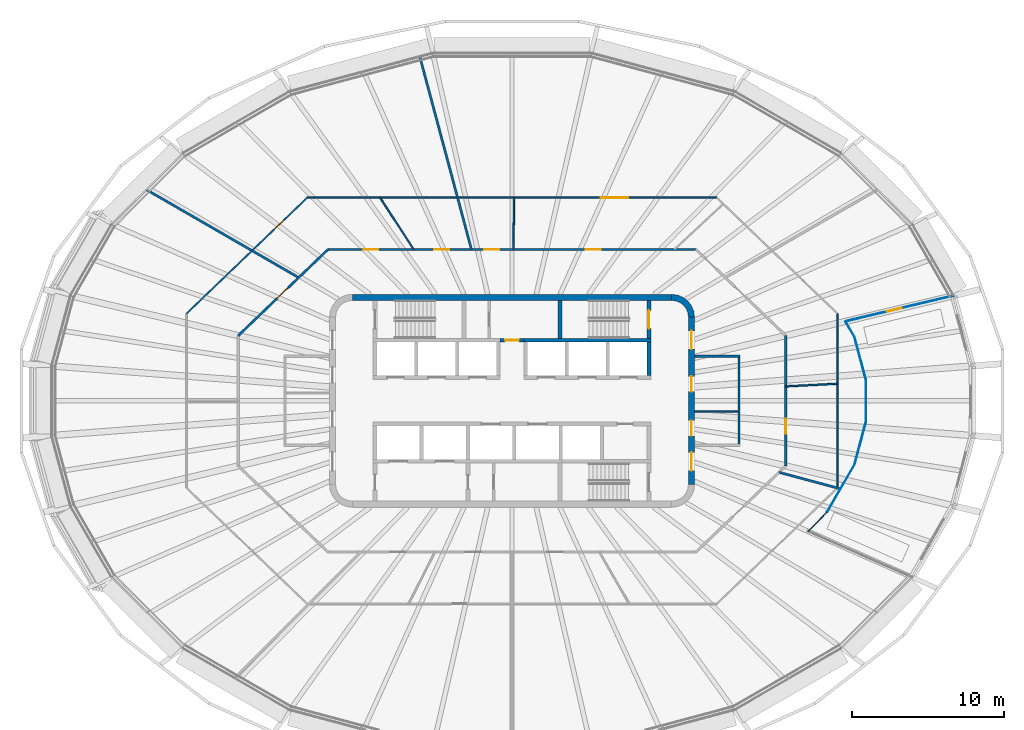
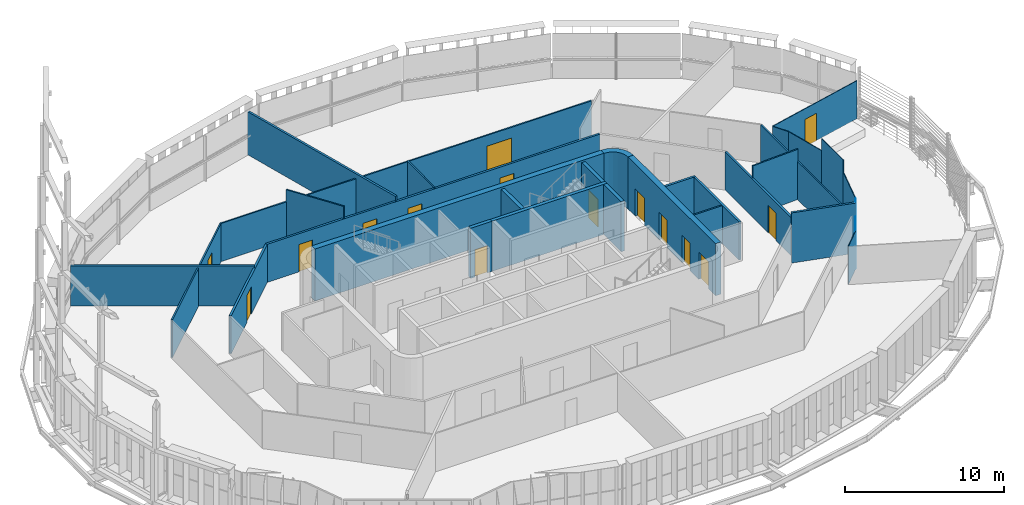
# One storey, part 11 of 21: 30 walls, 15 doors, 15 openings.
"""IFC4 building model written with IfcOpenShell, lengths in metres."""

from ifc_helpers import new_model, si_unit, direction, frame, frame_2d, origin, place, context, subcontext, project, spatial, polyline, rectangle, outline, extrude, material, layer, layer_set, type_object, element, fill, save


model = new_model("IFC4")

# Units and contexts
model_context = context("Model", 3, precision=1e-05, world=origin(), true_north=direction((0.0, 1.0)))
body_context = subcontext(model_context, "Body", "Model", "MODEL_VIEW")
ifc_project = project(units=[si_unit("LENGTHUNIT", "METRE"), si_unit("AREAUNIT", "SQUARE_METRE"), si_unit("VOLUMEUNIT", "CUBIC_METRE"), si_unit("PLANEANGLEUNIT", "RADIAN"), si_unit("MASSUNIT", "GRAM", prefix="KILO")], contexts=[model_context])

# Site, building, storey
site_placement = place(None, origin())
site = spatial("IfcSite", under=ifc_project, at=site_placement, CompositionType="ELEMENT")
building_placement = place(site_placement, origin())
building = spatial("IfcBuilding", under=site, at=building_placement, Name="Sahrelin Media Tower", CompositionType="ELEMENT")
storey_placement = place(building_placement, frame((0.0, 0.0, 259.0)))
storey = spatial("IfcBuildingStorey", under=building, at=storey_placement, Name="L56", CompositionType="ELEMENT", Elevation=259.0)

# Wall
ifc_material_1 = material(Name="Concrete C60/75", Category="concrete")
ifc_layer_1 = layer(ifc_material_1, 0.39990234375)
ifc_layer_set_1 = layer_set([ifc_layer_1], Name="Core wall 400")
wall_type_1 = type_object("IfcWallType", Name="Core wall 400", PredefinedType="SHEAR", material=ifc_layer_set_1)
wall_1_placement = place(storey_placement, frame((-10.5, 6.800048828125, 0.0), z_axis=(0.0, 0.0, 1.0), x_axis=(1.0, 0.0, 0.0)))
element("IfcWall", 1, at=wall_1_placement, inside=storey, type_object=wall_type_1, Name="Core wall N L56", PredefinedType="SHEAR", context=body_context, shape_type="SweptSolid", body=[
    extrude(rectangle(XDim=21.0, YDim=0.39990234375, at=frame_2d((10.5, 0.0))), origin(), (0.0, 0.0, 1.0), 4.0),
])

# Wall, openings, doors
wall_2_placement = place(storey_placement, frame((11.800048828125, -5.5, 0.0), z_axis=(0.0, 0.0, 1.0), x_axis=(0.0, 1.0, 0.0)))
wall_2 = element("IfcWall", 2, at=wall_2_placement, inside=storey, type_object=wall_type_1, Name="Core wall E L56", PredefinedType="SHEAR", context=body_context, shape_type="SweptSolid", body=[
    extrude(rectangle(XDim=11.0, YDim=0.39990234375, at=frame_2d((5.5, 0.0))), origin(), (0.0, 0.0, 1.0), 4.0),
])
opening_1_placement = place(wall_2_placement, frame((3.199951171875, 0.0, 0.0)))
opening_1 = element("IfcOpeningElement", 3, at=opening_1_placement, cuts=wall_2, Name="Opening L56-D12", PredefinedType="OPENING", context=body_context, shape_type="SweptSolid", body=[
    extrude(rectangle(XDim=1.0, YDim=2.10009765625, at=frame_2d((0.5, 1.050048828125))), frame((0.0, 0.199951171875, 0.0), z_axis=(0.0, -1.0, 0.0), x_axis=(1.0, 0.0, 0.0)), (0.0, 0.0, 1.0), 0.39990234375),
])
opening_2_placement = place(wall_2_placement, frame((6.10009765625, 0.0, 0.0)))
opening_2 = element("IfcOpeningElement", 4, at=opening_2_placement, cuts=wall_2, Name="Opening L56-D13", PredefinedType="OPENING", context=body_context, shape_type="SweptSolid", body=[
    extrude(rectangle(XDim=1.0, YDim=2.10009765625, at=frame_2d((0.5, 1.050048828125))), frame((0.0, 0.199951171875, 0.0), z_axis=(0.0, -1.0, 0.0), x_axis=(1.0, 0.0, 0.0)), (0.0, 0.0, 1.0), 0.39990234375),
])
opening_3_placement = place(wall_2_placement, frame((0.89990234375, 0.0, 0.0)))
opening_3 = element("IfcOpeningElement", 5, at=opening_3_placement, cuts=wall_2, Name="Opening L56-D16", PredefinedType="OPENING", context=body_context, shape_type="SweptSolid", body=[
    extrude(rectangle(XDim=1.199951171875, YDim=2.10009765625, at=frame_2d((0.60009765625, 1.050048828125))), frame((0.0, 0.199951171875, 0.0), z_axis=(0.0, -1.0, 0.0), x_axis=(1.0, 0.0, 0.0)), (0.0, 0.0, 1.0), 0.39990234375),
])
opening_4_placement = place(wall_2_placement, frame((8.89990234375, 0.0, 0.0)))
opening_4 = element("IfcOpeningElement", 6, at=opening_4_placement, cuts=wall_2, Name="Opening L56-D17", PredefinedType="OPENING", context=body_context, shape_type="SweptSolid", body=[
    extrude(rectangle(XDim=1.199951171875, YDim=2.10009765625, at=frame_2d((0.60009765625, 1.050048828125))), frame((0.0, 0.199951171875, 0.0), z_axis=(0.0, -1.0, 0.0), x_axis=(1.0, 0.0, 0.0)), (0.0, 0.0, 1.0), 0.39990234375),
])
ifc_material_2 = material(Name="Steel fire door leaf", Category="steel")
door_type_1 = type_object("IfcDoorType", Name="Fire door 1000 x 2100 EI 60", OperationType="NOTDEFINED", PredefinedType="DOOR", material=ifc_material_2)
door_1_placement = place(opening_1_placement, origin())
door_1 = element("IfcDoor", 7, at=door_1_placement, inside=storey, type_object=door_type_1, Name="Core room door", OperationType="SINGLE_SWING_RIGHT", OverallHeight=2.10009765625, OverallWidth=1.0, PredefinedType="DOOR", context=body_context, shape_type="SweptSolid", body=[
    extrude(rectangle(XDim=1.0, YDim=2.10009765625, at=frame_2d((0.5, 1.050048828125))), frame((0.0, 0.02490234375, 0.0), z_axis=(0.0, -1.0, 0.0), x_axis=(1.0, 0.0, 0.0)), (0.0, 0.0, 1.0), 0.050048828125),
])
fill(opening_1, door_1)
door_2_placement = place(opening_2_placement, origin())
door_2 = element("IfcDoor", 8, at=door_2_placement, inside=storey, type_object=door_type_1, Name="Core room door", OperationType="SINGLE_SWING_RIGHT", OverallHeight=2.10009765625, OverallWidth=1.0, PredefinedType="DOOR", context=body_context, shape_type="SweptSolid", body=[
    extrude(rectangle(XDim=1.0, YDim=2.10009765625, at=frame_2d((0.5, 1.050048828125))), frame((0.0, 0.02490234375, 0.0), z_axis=(0.0, -1.0, 0.0), x_axis=(1.0, 0.0, 0.0)), (0.0, 0.0, 1.0), 0.050048828125),
])
fill(opening_2, door_2)
door_type_2 = type_object("IfcDoorType", Name="Lobby door 1200 x 2100 EI 60", OperationType="NOTDEFINED", PredefinedType="DOOR", material=ifc_material_2)
door_3_placement = place(opening_3_placement, origin())
door_3 = element("IfcDoor", 9, at=door_3_placement, inside=storey, type_object=door_type_2, Name="Lobby door", OperationType="SINGLE_SWING_LEFT", OverallHeight=2.10009765625, OverallWidth=1.199951171875, PredefinedType="DOOR", context=body_context, shape_type="SweptSolid", body=[
    extrude(rectangle(XDim=1.199951171875, YDim=2.10009765625, at=frame_2d((0.60009765625, 1.050048828125))), frame((0.0, 0.02490234375, 0.0), z_axis=(0.0, -1.0, 0.0), x_axis=(1.0, 0.0, 0.0)), (0.0, 0.0, 1.0), 0.050048828125),
])
fill(opening_3, door_3)
door_4_placement = place(opening_4_placement, origin())
door_4 = element("IfcDoor", 10, at=door_4_placement, inside=storey, type_object=door_type_2, Name="Lobby door", OperationType="SINGLE_SWING_LEFT", OverallHeight=2.10009765625, OverallWidth=1.199951171875, PredefinedType="DOOR", context=body_context, shape_type="SweptSolid", body=[
    extrude(rectangle(XDim=1.199951171875, YDim=2.10009765625, at=frame_2d((0.60009765625, 1.050048828125))), frame((0.0, 0.02490234375, 0.0), z_axis=(0.0, -1.0, 0.0), x_axis=(1.0, 0.0, 0.0)), (0.0, 0.0, 1.0), 0.050048828125),
])
fill(opening_4, door_4)

# Wall
wall_3_placement = place(storey_placement, origin())
element("IfcWall", 11, at=wall_3_placement, inside=storey, type_object=wall_type_1, Name="Core wall corner NE L56", PredefinedType="SHEAR", context=body_context, shape_type="SweptSolid", body=[
    extrude(outline(polyline([(10.5, 7.0), (10.5, 6.596435546875), (10.78369140625, 6.55908203125), (11.04833984375, 6.44970703125), (11.275390625, 6.275390625), (11.44970703125, 6.04833984375), (11.55908203125, 5.78369140625), (11.596435546875, 5.5), (12.0, 5.5), (11.948974609375, 5.88818359375), (11.799072265625, 6.25), (11.560791015625, 6.560791015625), (11.25, 6.799072265625), (10.88818359375, 6.948974609375), (10.5, 7.0)])), origin(), (0.0, 0.0, 1.0), 4.0),
])

# Wall, opening, door
ifc_material_3 = material(Name="Fire-rated gypsum board partition")
ifc_layer_2 = layer(ifc_material_3, 0.25)
ifc_layer_set_2 = layer_set([ifc_layer_2], Name="Fire-rated lobby wall 250")
wall_type_2 = type_object("IfcWallType", Name="Fire-rated lobby wall 250", PredefinedType="PARTITIONING", material=ifc_layer_set_2)
wall_4_placement = place(storey_placement, frame((-0.77490234375, 3.97509765625, 0.0), z_axis=(0.0, 0.0, 1.0), x_axis=(1.0, 0.0, 0.0)))
wall_4 = element("IfcWall", 12, at=wall_4_placement, inside=storey, type_object=wall_type_2, Name="Core lobby wall", PredefinedType="PARTITIONING", context=body_context, shape_type="SweptSolid", body=[
    extrude(rectangle(XDim=1.5498046875, YDim=0.25, at=frame_2d((0.77490234375, 0.0))), origin(), (0.0, 0.0, 1.0), 3.85009765625),
])
opening_5_placement = place(wall_4_placement, frame((0.324951171875, 0.0, 0.0)))
opening_5 = element("IfcOpeningElement", 13, at=opening_5_placement, cuts=wall_4, Name="Opening L56-D06", PredefinedType="OPENING", context=body_context, shape_type="SweptSolid", body=[
    extrude(rectangle(XDim=0.89990234375, YDim=2.10009765625, at=frame_2d((0.449951171875, 1.050048828125))), frame((0.0, 0.125, 0.0), z_axis=(0.0, -1.0, 0.0), x_axis=(1.0, 0.0, 0.0)), (0.0, 0.0, 1.0), 0.25),
])
door_type_3 = type_object("IfcDoorType", Name="Riser door 900 x 2100 EI 120", OperationType="NOTDEFINED", PredefinedType="DOOR", material=ifc_material_2)
door_5_placement = place(opening_5_placement, origin())
door_5 = element("IfcDoor", 14, at=door_5_placement, inside=storey, type_object=door_type_3, Name="Core room door", OperationType="SINGLE_SWING_LEFT", OverallHeight=2.10009765625, OverallWidth=0.89990234375, PredefinedType="DOOR", context=body_context, shape_type="SweptSolid", body=[
    extrude(rectangle(XDim=0.89990234375, YDim=2.10009765625, at=frame_2d((0.449951171875, 1.050048828125))), frame((0.0, 0.02490234375, 0.0), z_axis=(0.0, -1.0, 0.0), x_axis=(1.0, 0.0, 0.0)), (0.0, 0.0, 1.0), 0.050048828125),
])
fill(opening_5, door_5)

# Walls
ifc_layer_3 = layer(ifc_material_3, 0.10009765625)
ifc_layer_set_3 = layer_set([ifc_layer_3], Name="Fire-rated partition 100")
wall_type_3 = type_object("IfcWallType", Name="Fire-rated partition 100", PredefinedType="PARTITIONING", material=ifc_layer_set_3)
wall_5_placement = place(storey_placement, frame((12.0, -0.699951171875, 0.0), z_axis=(0.0, 0.0, 1.0), x_axis=(1.0, 0.0, 0.0)))
element("IfcWall", 15, at=wall_5_placement, inside=storey, type_object=wall_type_3, Name="Core room partition", PredefinedType="PARTITIONING", context=body_context, shape_type="SweptSolid", body=[
    extrude(rectangle(XDim=2.85009765625, YDim=0.10009765625, at=frame_2d((1.425048828125, 0.0))), origin(), (0.0, 0.0, 1.0), 2.918212890625),
])
ifc_layer_4 = layer(ifc_material_3, 0.14990234375)
ifc_layer_set_4 = layer_set([ifc_layer_4], Name="Fire-rated partition 150")
wall_type_4 = type_object("IfcWallType", Name="Fire-rated partition 150", PredefinedType="PARTITIONING", material=ifc_layer_set_4)
wall_6_placement = place(storey_placement, frame((14.925048828125, -2.85009765625, 0.0), z_axis=(0.0, 0.0, 1.0), x_axis=(0.0, 1.0, 0.0)))
element("IfcWall", 16, at=wall_6_placement, inside=storey, type_object=wall_type_4, Name="Core room fire partition", PredefinedType="PARTITIONING", context=body_context, shape_type="SweptSolid", body=[
    extrude(rectangle(XDim=5.7001953125, YDim=0.14990234375, at=frame_2d((2.85009765625, 0.0))), origin(), (0.0, 0.0, 1.0), 2.918212890625),
])
wall_7_placement = place(storey_placement, frame((12.0, 2.925048828125, 0.0), z_axis=(0.0, 0.0, 1.0), x_axis=(1.0, 0.0, 0.0)))
element("IfcWall", 17, at=wall_7_placement, inside=storey, type_object=wall_type_4, Name="Core room fire partition", PredefinedType="PARTITIONING", context=body_context, shape_type="SweptSolid", body=[
    extrude(rectangle(XDim=3.0, YDim=0.14990234375, at=frame_2d((1.5, 0.0))), origin(), (0.0, 0.0, 1.0), 2.918212890625),
])
wall_8_placement = place(storey_placement, frame((-6.06298828125, 22.62890625, 0.0), z_axis=(0.0, 0.0, 1.0), x_axis=(0.258776059344, -0.965937343263, 0.0)))
element("IfcWall", 18, at=wall_8_placement, inside=storey, type_object=wall_type_4, Name="Wall", PredefinedType="PARTITIONING", context=body_context, shape_type="SweptSolid", body=[
    extrude(rectangle(XDim=13.126953125, YDim=0.14990234375, at=frame_2d((6.5634765625, 0.0))), origin(), (0.0, 0.0, 1.0), 3.3017578125),
])
wall_9_placement = place(storey_placement, frame((-24.050048828125, 13.885009765625, 0.0), z_axis=(0.0, 0.0, 1.0), x_axis=(0.86602966053, -0.499992627028, 0.0)))
element("IfcWall", 19, at=wall_9_placement, inside=storey, type_object=wall_type_4, Name="Wall", PredefinedType="PARTITIONING", context=body_context, shape_type="SweptSolid", body=[
    extrude(rectangle(XDim=11.576904296875, YDim=0.14990234375, at=frame_2d((5.78857421875, 0.0))), origin(), (0.0, 0.0, 1.0), 3.075927734375),
])
wall_10_placement = place(storey_placement, frame((17.555908203125, -4.7041015625, 0.0), z_axis=(0.0, 0.0, 1.0), x_axis=(0.965793364166, -0.259312895424, 0.0)))
element("IfcWall", 20, at=wall_10_placement, inside=storey, type_object=wall_type_4, Name="Wall", PredefinedType="PARTITIONING", context=body_context, shape_type="SweptSolid", body=[
    extrude(rectangle(XDim=4.188720703125, YDim=0.14990234375, at=frame_2d((2.09423828125, 0.0))), origin(), (0.0, 0.0, 1.0), 3.85009765625),
])

# Wall, openings, doors
wall_11_placement = place(storey_placement, frame((-12.094970703125, 9.948974609375, 0.0), z_axis=(0.0, 0.0, 1.0), x_axis=(1.0, 0.0, 0.0)))
wall_11 = element("IfcWall", 21, at=wall_11_placement, inside=storey, type_object=wall_type_4, Name="Wall", PredefinedType="PARTITIONING", context=body_context, shape_type="SweptSolid", body=[
    extrude(rectangle(XDim=24.18994140625, YDim=0.14990234375, at=frame_2d((12.094970703125, 0.0))), origin(), (0.0, 0.0, 1.0), 2.927001953125),
])
opening_6_placement = place(wall_11_placement, frame((16.93310546875, 0.0, 0.0)))
opening_6 = element("IfcOpeningElement", 22, at=opening_6_placement, cuts=wall_11, Name="Opening L56-D19", PredefinedType="OPENING", context=body_context, shape_type="SweptSolid", body=[
    extrude(rectangle(XDim=1.0, YDim=2.10009765625, at=frame_2d((0.5, 1.050048828125))), frame((0.0, 0.074951171875, 0.0), z_axis=(0.0, -1.0, 0.0), x_axis=(1.0, 0.0, 0.0)), (0.0, 0.0, 1.0), 0.14990234375),
])
opening_7_placement = place(wall_11_placement, frame((10.254638671875, 0.0, 0.0)))
opening_7 = element("IfcOpeningElement", 23, at=opening_7_placement, cuts=wall_11, Name="Opening L56-D20", PredefinedType="OPENING", context=body_context, shape_type="SweptSolid", body=[
    extrude(rectangle(XDim=1.0, YDim=2.10009765625, at=frame_2d((0.5, 1.050048828125))), frame((0.0, 0.074951171875, 0.0), z_axis=(0.0, -1.0, 0.0), x_axis=(1.0, 0.0, 0.0)), (0.0, 0.0, 1.0), 0.14990234375),
])
opening_8_placement = place(wall_11_placement, frame((6.978271484375, 0.0, 0.0)))
opening_8 = element("IfcOpeningElement", 24, at=opening_8_placement, cuts=wall_11, Name="Opening L56-D22", PredefinedType="OPENING", context=body_context, shape_type="SweptSolid", body=[
    extrude(rectangle(XDim=1.0, YDim=2.10009765625, at=frame_2d((0.5, 1.050048828125))), frame((0.0, 0.074951171875, 0.0), z_axis=(0.0, -1.0, 0.0), x_axis=(1.0, 0.0, 0.0)), (0.0, 0.0, 1.0), 0.14990234375),
])
opening_9_placement = place(wall_11_placement, frame((2.31689453125, 0.0, 0.0)))
opening_9 = element("IfcOpeningElement", 25, at=opening_9_placement, cuts=wall_11, Name="Opening L56-D23", PredefinedType="OPENING", context=body_context, shape_type="SweptSolid", body=[
    extrude(rectangle(XDim=1.0, YDim=2.10009765625, at=frame_2d((0.5, 1.050048828125))), frame((0.0, 0.074951171875, 0.0), z_axis=(0.0, -1.0, 0.0), x_axis=(1.0, 0.0, 0.0)), (0.0, 0.0, 1.0), 0.14990234375),
])
door_6_placement = place(opening_6_placement, origin())
door_6 = element("IfcDoor", 26, at=door_6_placement, inside=storey, type_object=door_type_1, Name="Fire door", OperationType="SINGLE_SWING_LEFT", OverallHeight=2.10009765625, OverallWidth=1.0, PredefinedType="DOOR", context=body_context, shape_type="SweptSolid", body=[
    extrude(rectangle(XDim=1.0, YDim=2.10009765625, at=frame_2d((0.5, 1.050048828125))), frame((0.0, 0.02490234375, 0.0), z_axis=(0.0, -1.0, 0.0), x_axis=(1.0, 0.0, 0.0)), (0.0, 0.0, 1.0), 0.050048828125),
])
fill(opening_6, door_6)
door_7_placement = place(opening_7_placement, origin())
door_7 = element("IfcDoor", 27, at=door_7_placement, inside=storey, type_object=door_type_1, Name="Fire door", OperationType="SINGLE_SWING_LEFT", OverallHeight=2.10009765625, OverallWidth=1.0, PredefinedType="DOOR", context=body_context, shape_type="SweptSolid", body=[
    extrude(rectangle(XDim=1.0, YDim=2.10009765625, at=frame_2d((0.5, 1.050048828125))), frame((0.0, 0.02490234375, 0.0), z_axis=(0.0, -1.0, 0.0), x_axis=(1.0, 0.0, 0.0)), (0.0, 0.0, 1.0), 0.050048828125),
])
fill(opening_7, door_7)
door_8_placement = place(opening_8_placement, origin())
door_8 = element("IfcDoor", 28, at=door_8_placement, inside=storey, type_object=door_type_1, Name="Fire door", OperationType="SINGLE_SWING_LEFT", OverallHeight=2.10009765625, OverallWidth=1.0, PredefinedType="DOOR", context=body_context, shape_type="SweptSolid", body=[
    extrude(rectangle(XDim=1.0, YDim=2.10009765625, at=frame_2d((0.5, 1.050048828125))), frame((0.0, 0.02490234375, 0.0), z_axis=(0.0, -1.0, 0.0), x_axis=(1.0, 0.0, 0.0)), (0.0, 0.0, 1.0), 0.050048828125),
])
fill(opening_8, door_8)
door_9_placement = place(opening_9_placement, origin())
door_9 = element("IfcDoor", 29, at=door_9_placement, inside=storey, type_object=door_type_1, Name="Fire door", OperationType="SINGLE_SWING_LEFT", OverallHeight=2.10009765625, OverallWidth=1.0, PredefinedType="DOOR", context=body_context, shape_type="SweptSolid", body=[
    extrude(rectangle(XDim=1.0, YDim=2.10009765625, at=frame_2d((0.5, 1.050048828125))), frame((0.0, 0.02490234375, 0.0), z_axis=(0.0, -1.0, 0.0), x_axis=(1.0, 0.0, 0.0)), (0.0, 0.0, 1.0), 0.050048828125),
])
fill(opening_9, door_9)

# Wall, opening, door
wall_12_placement = place(storey_placement, frame((-18.0, 4.278076171875, 0.0), z_axis=(0.0, 0.0, 1.0), x_axis=(0.721334282166, 0.692587072773, 0.0)))
wall_12 = element("IfcWall", 30, at=wall_12_placement, inside=storey, type_object=wall_type_4, Name="Wall", PredefinedType="PARTITIONING", context=body_context, shape_type="SweptSolid", body=[
    extrude(rectangle(XDim=8.18701171875, YDim=0.14990234375, at=frame_2d((4.093505859375, 0.0))), origin(), (0.0, 0.0, 1.0), 2.918212890625),
])
opening_10_placement = place(wall_12_placement, frame((3.54541015625, 0.0, 0.0)))
opening_10 = element("IfcOpeningElement", 31, at=opening_10_placement, cuts=wall_12, Name="Opening L56-D25", PredefinedType="OPENING", context=body_context, shape_type="SweptSolid", body=[
    extrude(rectangle(XDim=1.0, YDim=2.10009765625, at=frame_2d((0.5, 1.050048828125))), frame((0.0, 0.074951171875, 0.0), z_axis=(0.0, -1.0, 0.0), x_axis=(1.0, 0.0, 0.0)), (0.0, 0.0, 1.0), 0.14990234375),
])
door_10_placement = place(opening_10_placement, origin())
door_10 = element("IfcDoor", 32, at=door_10_placement, inside=storey, type_object=door_type_1, Name="Fire door", OperationType="SINGLE_SWING_RIGHT", OverallHeight=2.10009765625, OverallWidth=1.0, PredefinedType="DOOR", context=body_context, shape_type="SweptSolid", body=[
    extrude(rectangle(XDim=1.0, YDim=2.10009765625, at=frame_2d((0.5, 1.050048828125))), frame((0.0, 0.02490234375, 0.0), z_axis=(0.0, -1.0, 0.0), x_axis=(1.0, 0.0, 0.0)), (0.0, 0.0, 1.0), 0.050048828125),
])
fill(opening_10, door_10)

wall_13_placement = place(storey_placement, frame((18.0, -4.278076171875, 0.0), z_axis=(0.0, 0.0, 1.0), x_axis=(0.0, 1.0, 0.0)))
wall_13 = element("IfcWall", 33, at=wall_13_placement, inside=storey, type_object=wall_type_4, Name="Wall", PredefinedType="PARTITIONING", context=body_context, shape_type="SweptSolid", body=[
    extrude(rectangle(XDim=8.55615234375, YDim=0.14990234375, at=frame_2d((4.278076171875, 0.0))), origin(), (0.0, 0.0, 1.0), 2.918212890625),
])
opening_11_placement = place(wall_13_placement, frame((2.111083984375, 0.0, 0.0)))
opening_11 = element("IfcOpeningElement", 34, at=opening_11_placement, cuts=wall_13, Name="Opening L56-D34", PredefinedType="OPENING", context=body_context, shape_type="SweptSolid", body=[
    extrude(rectangle(XDim=1.0, YDim=2.10009765625, at=frame_2d((0.5, 1.050048828125))), frame((0.0, 0.074951171875, 0.0), z_axis=(0.0, -1.0, 0.0), x_axis=(1.0, 0.0, 0.0)), (0.0, 0.0, 1.0), 0.14990234375),
])
door_11_placement = place(opening_11_placement, origin())
door_11 = element("IfcDoor", 35, at=door_11_placement, inside=storey, type_object=door_type_1, Name="Fire door", OperationType="SINGLE_SWING_LEFT", OverallHeight=2.10009765625, OverallWidth=1.0, PredefinedType="DOOR", context=body_context, shape_type="SweptSolid", body=[
    extrude(rectangle(XDim=1.0, YDim=2.10009765625, at=frame_2d((0.5, 1.050048828125))), frame((0.0, 0.02490234375, 0.0), z_axis=(0.0, -1.0, 0.0), x_axis=(1.0, 0.0, 0.0)), (0.0, 0.0, 1.0), 0.050048828125),
])
fill(opening_11, door_11)

# Walls
ifc_material_4 = material(Name="Clear glass", Category="glass")
ifc_layer_5 = layer(ifc_material_4, 0.050048828125)
ifc_layer_set_5 = layer_set([ifc_layer_5], Name="Glazed partition 50")
wall_type_5 = type_object("IfcWallType", Name="Glazed partition 50", PredefinedType="PARTITIONING", material=ifc_layer_set_5)
wall_14_placement = place(storey_placement, frame((22.513916015625, 4.2080078125, 0.0), z_axis=(0.0, 0.0, 1.0), x_axis=(0.259041696442, -0.965866139537, 0.0)))
element("IfcWall", 36, at=wall_14_placement, inside=storey, type_object=wall_type_5, Name="Wall", PredefinedType="PARTITIONING", context=body_context, shape_type="SweptSolid", body=[
    extrude(rectangle(XDim=2.94140625, YDim=0.050048828125, at=frame_2d((1.470703125, 0.0))), origin(), (0.0, 0.0, 1.0), 2.918212890625),
])
wall_15_placement = place(storey_placement, frame((21.930908203125, 5.218994140625, 0.0), z_axis=(0.0, 0.0, 1.0), x_axis=(0.499559453058, -0.86627960432, 0.0)))
element("IfcWall", 37, at=wall_15_placement, inside=storey, type_object=wall_type_5, Name="Wall", PredefinedType="PARTITIONING", context=body_context, shape_type="SweptSolid", body=[
    extrude(rectangle(XDim=1.1669921875, YDim=0.050048828125, at=frame_2d((0.58349609375, 0.0))), origin(), (0.0, 0.0, 1.0), 2.918212890625),
])

# Wall, opening, door
wall_16_placement = place(storey_placement, frame((21.930908203125, 5.218994140625, 0.0), z_axis=(0.0, 0.0, 1.0), x_axis=(0.972838122094, 0.231486475199, 0.0)))
wall_16 = element("IfcWall", 38, at=wall_16_placement, inside=storey, type_object=wall_type_5, Name="Wall", PredefinedType="PARTITIONING", context=body_context, shape_type="SweptSolid", body=[
    extrude(rectangle(XDim=7.3046875, YDim=0.050048828125, at=frame_2d((3.65234375, 0.0))), origin(), (0.0, 0.0, 1.0), 2.918212890625),
])
opening_12_placement = place(wall_16_placement, frame((2.802001953125, 0.0, 0.0)))
opening_12 = element("IfcOpeningElement", 39, at=opening_12_placement, cuts=wall_16, Name="Opening L56-D37", PredefinedType="OPENING", context=body_context, shape_type="SweptSolid", body=[
    extrude(rectangle(XDim=1.0, YDim=2.10009765625, at=frame_2d((0.5, 1.050048828125))), frame((0.0, 0.02490234375, 0.0), z_axis=(0.0, -1.0, 0.0), x_axis=(1.0, 0.0, 0.0)), (0.0, 0.0, 1.0), 0.050048828125),
])
door_type_4 = type_object("IfcDoorType", Name="Glazed door 1000 x 2100", OperationType="NOTDEFINED", PredefinedType="DOOR", material=ifc_material_4)
door_12_placement = place(opening_12_placement, origin())
door_12 = element("IfcDoor", 40, at=door_12_placement, inside=storey, type_object=door_type_4, Name="Glazed door", OperationType="SINGLE_SWING_RIGHT", OverallHeight=2.10009765625, OverallWidth=1.0, PredefinedType="DOOR", context=body_context, shape_type="SweptSolid", body=[
    extrude(rectangle(XDim=1.0, YDim=2.10009765625, at=frame_2d((0.5, 1.050048828125))), frame((0.0, 0.02490234375, 0.0), z_axis=(0.0, -1.0, 0.0), x_axis=(1.0, 0.0, 0.0)), (0.0, 0.0, 1.0), 0.049560546875),
])
fill(opening_12, door_12)

# Walls
wall_17_placement = place(storey_placement, frame((19.452880859375, -8.5830078125, 0.0), z_axis=(0.0, 0.0, 1.0), x_axis=(0.706834345547, 0.707379111902, 0.0)))
element("IfcWall", 41, at=wall_17_placement, inside=storey, type_object=wall_type_5, Name="Wall", PredefinedType="PARTITIONING", context=body_context, shape_type="SweptSolid", body=[
    extrude(rectangle(XDim=1.792724609375, YDim=0.050048828125, at=frame_2d((0.896484375, 0.0))), origin(), (0.0, 0.0, 1.0), 2.927001953125),
])
wall_18_placement = place(storey_placement, frame((20.719970703125, -7.31494140625, 0.0), z_axis=(0.0, 0.0, 1.0), x_axis=(0.500032687935, 0.866006530574, 0.0)))
element("IfcWall", 42, at=wall_18_placement, inside=storey, type_object=wall_type_5, Name="Wall", PredefinedType="PARTITIONING", context=body_context, shape_type="SweptSolid", body=[
    extrude(rectangle(XDim=3.587646484375, YDim=0.050048828125, at=frame_2d((1.7939453125, 0.0))), origin(), (0.0, 0.0, 1.0), 2.918212890625),
])
wall_19_placement = place(storey_placement, frame((22.513916015625, -4.2080078125, 0.0), z_axis=(0.0, 0.0, 1.0), x_axis=(0.259041696442, 0.965866139537, 0.0)))
element("IfcWall", 43, at=wall_19_placement, inside=storey, type_object=wall_type_5, Name="Wall", PredefinedType="PARTITIONING", context=body_context, shape_type="SweptSolid", body=[
    extrude(rectangle(XDim=2.94140625, YDim=0.050048828125, at=frame_2d((1.470703125, 0.0))), origin(), (0.0, 0.0, 1.0), 2.918212890625),
])
wall_20_placement = place(storey_placement, frame((23.27587890625, -1.366943359375, 0.0), z_axis=(0.0, 0.0, 1.0), x_axis=(0.0, 1.0, 0.0)))
element("IfcWall", 44, at=wall_20_placement, inside=storey, type_object=wall_type_5, Name="Wall", PredefinedType="PARTITIONING", context=body_context, shape_type="SweptSolid", body=[
    extrude(rectangle(XDim=2.73388671875, YDim=0.050048828125, at=frame_2d((1.366943359375, 0.0))), origin(), (0.0, 0.0, 1.0), 3.85009765625),
])
ifc_layer_6 = layer(ifc_material_1, 0.25)
ifc_layer_set_6 = layer_set([ifc_layer_6], Name="Lift shaft wall 250")
wall_type_6 = type_object("IfcWallType", Name="Lift shaft wall 250", PredefinedType="SOLIDWALL", material=ifc_layer_set_6)
wall_21_placement = place(storey_placement, frame((0.77490234375, 3.97509765625, 0.0), z_axis=(0.0, 0.0, 1.0), x_axis=(1.0, 0.0, 0.0)))
element("IfcWall", 45, at=wall_21_placement, inside=storey, type_object=wall_type_6, Name="Lift shaft wall", PredefinedType="SOLIDWALL", context=body_context, shape_type="SweptSolid", body=[
    extrude(rectangle(XDim=8.35009765625, YDim=0.25, at=frame_2d((4.175048828125, 0.0))), origin(), (0.0, 0.0, 1.0), 3.85009765625),
])
wall_22_placement = place(storey_placement, frame((9.0, 1.64990234375, 0.0), z_axis=(0.0, 0.0, 1.0), x_axis=(0.0, 1.0, 0.0)))
element("IfcWall", 46, at=wall_22_placement, inside=storey, type_object=wall_type_6, Name="Lift shaft wall", PredefinedType="SOLIDWALL", context=body_context, shape_type="SweptSolid", body=[
    extrude(rectangle(XDim=2.2001953125, YDim=0.25, at=frame_2d((1.10009765625, 0.0))), origin(), (0.0, 0.0, 1.0), 3.85009765625),
])
ifc_material_5 = material(Name="Gypsum board partition")
ifc_layer_7 = layer(ifc_material_5, 0.10009765625)
ifc_layer_set_7 = layer_set([ifc_layer_7], Name="Partition 100")
wall_type_7 = type_object("IfcWallType", Name="Partition 100", PredefinedType="PARTITIONING", material=ifc_layer_set_7)
wall_23_placement = place(storey_placement, frame((-8.6689453125, 13.34912109375, 0.0), z_axis=(0.0, 0.0, 1.0), x_axis=(0.544626347019, -0.83867880749, 0.0)))
element("IfcWall", 47, at=wall_23_placement, inside=storey, type_object=wall_type_7, Name="Wall", PredefinedType="PARTITIONING", context=body_context, shape_type="SweptSolid", body=[
    extrude(rectangle(XDim=4.05419921875, YDim=0.10009765625, at=frame_2d((2.027099609375, 0.0))), origin(), (0.0, 0.0, 1.0), 3.85009765625),
])

# Wall, opening, door
wall_24_placement = place(storey_placement, frame((-13.462890625, 13.34912109375, 0.0), z_axis=(0.0, 0.0, 1.0), x_axis=(1.0, 0.0, 0.0)))
wall_24 = element("IfcWall", 48, at=wall_24_placement, inside=storey, type_object=wall_type_7, Name="Wall", PredefinedType="PARTITIONING", context=body_context, shape_type="SweptSolid", body=[
    extrude(rectangle(XDim=26.92578125, YDim=0.10009765625, at=frame_2d((13.462890625, 0.0))), origin(), (0.0, 0.0, 1.0), 2.927001953125),
])
opening_13_placement = place(wall_24_placement, frame((19.310302734375, 0.0, 0.0)))
opening_13 = element("IfcOpeningElement", 49, at=opening_13_placement, cuts=wall_24, Name="Opening L56-D21", PredefinedType="OPENING", context=body_context, shape_type="SweptSolid", body=[
    extrude(rectangle(XDim=1.800048828125, YDim=2.10009765625, at=frame_2d((0.89990234375, 1.050048828125))), frame((0.0, 0.050048828125, 0.0), z_axis=(0.0, -1.0, 0.0), x_axis=(1.0, 0.0, 0.0)), (0.0, 0.0, 1.0), 0.10009765625),
])
ifc_material_6 = material(Name="Timber door leaf", Category="wood")
door_type_5 = type_object("IfcDoorType", Name="Double door 1800 x 2100", OperationType="DOUBLE_DOOR_SINGLE_SWING", PredefinedType="DOOR", material=ifc_material_6)
door_13_placement = place(opening_13_placement, origin())
door_13 = element("IfcDoor", 50, at=door_13_placement, inside=storey, type_object=door_type_5, Name="Double door", OperationType="DOUBLE_DOOR_SINGLE_SWING", OverallHeight=2.10009765625, OverallWidth=1.800048828125, PredefinedType="DOOR", context=body_context, shape_type="SweptSolid", body=[
    extrude(rectangle(XDim=1.800048828125, YDim=2.10009765625, at=frame_2d((0.89990234375, 1.050048828125))), frame((0.0, 0.02490234375, 0.0), z_axis=(0.0, -1.0, 0.0), x_axis=(1.0, 0.0, 0.0)), (0.0, 0.0, 1.0), 0.050048828125),
])
fill(opening_13, door_13)

# Wall
wall_25_placement = place(storey_placement, frame((18.0, 0.944091796875, 0.0), z_axis=(0.0, 0.0, 1.0), x_axis=(0.998632646467, 0.052276547413, 0.0)))
element("IfcWall", 51, at=wall_25_placement, inside=storey, type_object=wall_type_7, Name="Wall", PredefinedType="PARTITIONING", context=body_context, shape_type="SweptSolid", body=[
    extrude(rectangle(XDim=3.404541015625, YDim=0.10009765625, at=frame_2d((1.7021484375, 0.0))), origin(), (0.0, 0.0, 1.0), 3.85009765625),
])

# Wall, opening, door
wall_26_placement = place(storey_placement, frame((-21.39990234375, 5.72705078125, 0.0), z_axis=(0.0, 0.0, 1.0), x_axis=(0.721261394635, 0.692662977652, 0.0)))
wall_26 = element("IfcWall", 52, at=wall_26_placement, inside=storey, type_object=wall_type_7, Name="Wall", PredefinedType="PARTITIONING", context=body_context, shape_type="SweptSolid", body=[
    extrude(rectangle(XDim=11.00390625, YDim=0.10009765625, at=frame_2d((5.501953125, 0.0))), origin(), (0.0, 0.0, 1.0), 2.927001953125),
])
opening_14_placement = place(wall_26_placement, frame((7.989501953125, 0.0, 0.0)))
opening_14 = element("IfcOpeningElement", 53, at=opening_14_placement, cuts=wall_26, Name="Opening L56-D24", PredefinedType="OPENING", context=body_context, shape_type="SweptSolid", body=[
    extrude(rectangle(XDim=0.89990234375, YDim=2.10009765625, at=frame_2d((0.449951171875, 1.050048828125))), frame((0.0, 0.050048828125, 0.0), z_axis=(0.0, -1.0, 0.0), x_axis=(1.0, 0.0, 0.0)), (0.0, 0.0, 1.0), 0.10009765625),
])
door_type_6 = type_object("IfcDoorType", Name="Single door 900 x 2100", OperationType="NOTDEFINED", PredefinedType="DOOR", material=ifc_material_6)
door_14_placement = place(opening_14_placement, origin())
door_14 = element("IfcDoor", 54, at=door_14_placement, inside=storey, type_object=door_type_6, Name="Single door", OperationType="SINGLE_SWING_RIGHT", OverallHeight=2.10009765625, OverallWidth=0.89990234375, PredefinedType="DOOR", context=body_context, shape_type="SweptSolid", body=[
    extrude(rectangle(XDim=0.89990234375, YDim=2.10009765625, at=frame_2d((0.449951171875, 1.050048828125))), frame((0.0, 0.02490234375, 0.0), z_axis=(0.0, -1.0, 0.0), x_axis=(1.0, 0.0, 0.0)), (0.0, 0.0, 1.0), 0.050048828125),
])
fill(opening_14, door_14)

# Walls
wall_27_placement = place(storey_placement, frame((0.097900390625, 9.948974609375, 0.0), z_axis=(0.0, 0.0, 1.0), x_axis=(0.010051908305, 0.999949478293, 0.0)))
element("IfcWall", 55, at=wall_27_placement, inside=storey, type_object=wall_type_7, Name="Wall", PredefinedType="PARTITIONING", context=body_context, shape_type="SweptSolid", body=[
    extrude(rectangle(XDim=3.400390625, YDim=0.10009765625, at=frame_2d((1.7001953125, 0.0))), origin(), (0.0, 0.0, 1.0), 2.9951171875),
])
wall_28_placement = place(storey_placement, frame((21.39990234375, -5.72705078125, 0.0), z_axis=(0.0, 0.0, 1.0), x_axis=(0.0, 1.0, 0.0)))
element("IfcWall", 56, at=wall_28_placement, inside=storey, type_object=wall_type_7, Name="Wall", PredefinedType="PARTITIONING", context=body_context, shape_type="SweptSolid", body=[
    extrude(rectangle(XDim=11.4541015625, YDim=0.10009765625, at=frame_2d((5.72705078125, 0.0))), origin(), (0.0, 0.0, 1.0), 2.918212890625),
])

# Wall, opening, door
ifc_layer_8 = layer(ifc_material_1, 0.25)
ifc_layer_set_8 = layer_set([ifc_layer_8], Name="Stair enclosure wall 250")
wall_type_8 = type_object("IfcWallType", Name="Stair enclosure wall 250", PredefinedType="SOLIDWALL", material=ifc_layer_set_8)
wall_29_placement = place(storey_placement, frame((9.0, 4.10009765625, 0.0), z_axis=(0.0, 0.0, 1.0), x_axis=(0.0, 1.0, 0.0)))
wall_29 = element("IfcWall", 57, at=wall_29_placement, inside=storey, type_object=wall_type_8, Name="Stair enclosure wall", PredefinedType="SOLIDWALL", context=body_context, shape_type="SweptSolid", body=[
    extrude(rectangle(XDim=2.5, YDim=0.25, at=frame_2d((1.25, 0.0))), origin(), (0.0, 0.0, 1.0), 3.85009765625),
])
opening_15_placement = place(wall_29_placement, frame((0.64990234375, 0.0, 0.0)))
opening_15 = element("IfcOpeningElement", 58, at=opening_15_placement, cuts=wall_29, Name="Opening L56-D02", PredefinedType="OPENING", context=body_context, shape_type="SweptSolid", body=[
    extrude(rectangle(XDim=1.199951171875, YDim=2.10009765625, at=frame_2d((0.60009765625, 1.050048828125))), frame((0.0, 0.125, 0.0), z_axis=(0.0, -1.0, 0.0), x_axis=(1.0, 0.0, 0.0)), (0.0, 0.0, 1.0), 0.25),
])
door_type_7 = type_object("IfcDoorType", Name="Stair door 1200 x 2100 EI 120", OperationType="NOTDEFINED", PredefinedType="DOOR", material=ifc_material_2)
door_15_placement = place(opening_15_placement, origin())
door_15 = element("IfcDoor", 59, at=door_15_placement, inside=storey, type_object=door_type_7, Name="Stair door ST3", OperationType="SINGLE_SWING_LEFT", OverallHeight=2.10009765625, OverallWidth=1.199951171875, PredefinedType="DOOR", context=body_context, shape_type="SweptSolid", body=[
    extrude(rectangle(XDim=1.199951171875, YDim=2.10009765625, at=frame_2d((0.60009765625, 1.050048828125))), frame((0.0, 0.02490234375, 0.0), z_axis=(0.0, -1.0, 0.0), x_axis=(1.0, 0.0, 0.0)), (0.0, 0.0, 1.0), 0.050048828125),
])
fill(opening_15, door_15)

# Wall
wall_30_placement = place(storey_placement, frame((3.14990234375, 4.10009765625, 0.0), z_axis=(0.0, 0.0, 1.0), x_axis=(0.0, 1.0, 0.0)))
element("IfcWall", 60, at=wall_30_placement, inside=storey, type_object=wall_type_8, Name="Stair enclosure wall", PredefinedType="SOLIDWALL", context=body_context, shape_type="SweptSolid", body=[
    extrude(rectangle(XDim=2.5, YDim=0.25, at=frame_2d((1.25, 0.0))), origin(), (0.0, 0.0, 1.0), 3.85009765625),
])

save(model, "model.ifc")
